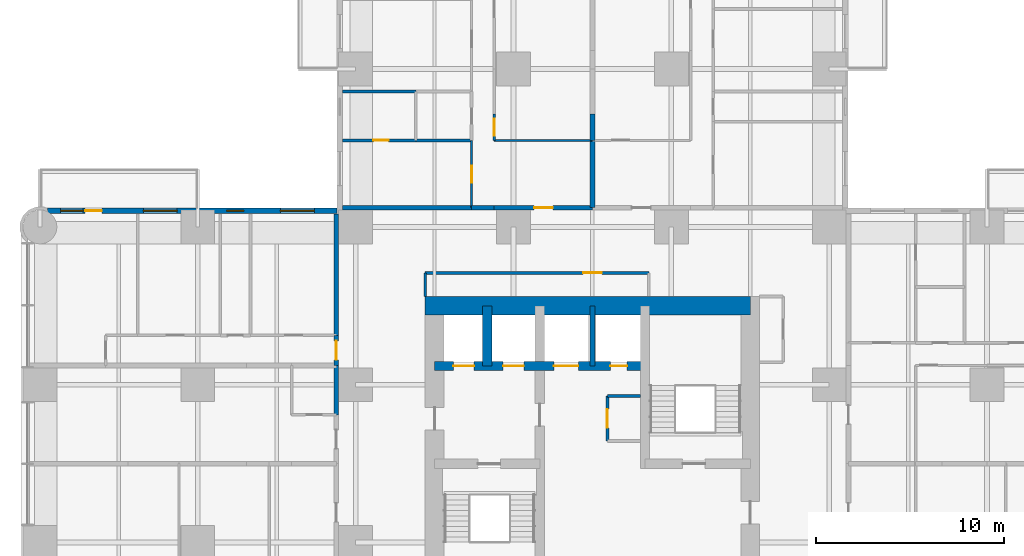
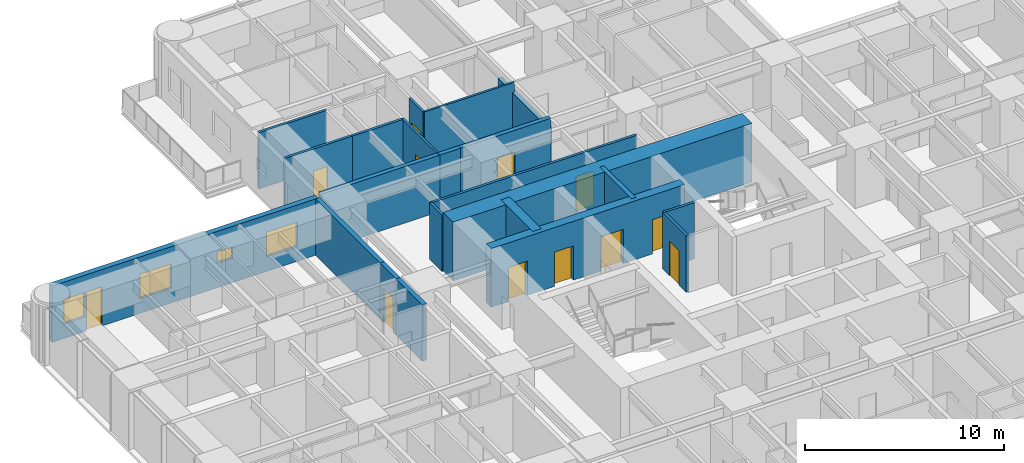
# One storey, part 12 of 17: 23 walls, 12 doors, 4 windows, 16 openings.
"""IFC4 building model written with IfcOpenShell, lengths in metres."""

import ifcopenshell
import ifcopenshell.guid

model = None  # the IFC model being written
_history = None  # IfcOwnerHistory: only IFC2X3 demands one
_inside = {}  # id of a spatial element -> (the spatial element, [elements in it])
_under = {}  # id of a project, library or spatial element -> (it, [spatial elements below it])
_declared = {}  # id of a project -> (the project, [libraries it declares])
_typed = {}  # id of a type object -> (the type object, [elements of that type])
_made_of = {}  # id of a material, layer set ... -> (it, [elements and type objects made of it])


def new_model(schema):
    """Start an empty IFC model of exactly this schema.

    Asked for "IFC4X3", IfcOpenShell would pick the latest addendum, in which some entities
    have other attributes; the version numbers below select the first issue.
    IFC2X3 requires an IfcOwnerHistory on every rooted entity: one is made here for all.
    """
    global model, _history
    if schema == "IFC4X3":
        model = ifcopenshell.file(schema_version=(4, 3, 0, 0))
    else:
        model = ifcopenshell.file(schema=schema)
    _inside.clear()
    _under.clear()
    _declared.clear()
    _typed.clear()
    _made_of.clear()
    _history = None
    if model.schema == "IFC2X3":
        org = make("IfcOrganization", Name="unknown")
        user = make(
            "IfcPersonAndOrganization",
            ThePerson=make("IfcPerson", FamilyName="unknown"),
            TheOrganization=org,
        )
        app = make(
            "IfcApplication",
            ApplicationDeveloper=org,
            Version="unknown",
            ApplicationFullName="unknown",
            ApplicationIdentifier="unknown",
        )
        _history = make(
            "IfcOwnerHistory",
            OwningUser=user,
            OwningApplication=app,
            ChangeAction="ADDED",
            CreationDate=0,
        )
    return model


def make(cls, **values):
    """One entity of the class cls with the attributes given. An attribute that is None is left unset."""
    return model.create_entity(
        cls, **{name: value for name, value in values.items() if value is not None}
    )


def rooted(cls, **values):
    """An entity with a GlobalId (a new one), such as an element, a storey or a relation."""
    return make(cls, GlobalId=ifcopenshell.guid.new(), OwnerHistory=_history, **values)


def si_unit(unit_type, name, prefix=None):
    """IfcSIUnit, for example si_unit("LENGTHUNIT", "METRE", prefix="MILLI")."""
    return make("IfcSIUnit", UnitType=unit_type, Prefix=prefix, Name=name)


def assignment(units):
    """IfcUnitAssignment: the units of a project."""
    return None if units is None else make("IfcUnitAssignment", Units=units)


def point(xyz):
    """IfcCartesianPoint."""
    return None if xyz is None else make("IfcCartesianPoint", Coordinates=xyz)


def direction(xyz):
    """IfcDirection."""
    return None if xyz is None else make("IfcDirection", DirectionRatios=xyz)


def frame(location, z_axis=None, x_axis=None):
    """IfcAxis2Placement3D, a coordinate frame: its origin and axes. An axis left out is left unset."""
    return make(
        "IfcAxis2Placement3D",
        Location=point(location),
        Axis=direction(z_axis),
        RefDirection=direction(x_axis),
    )


def frame_2d(location, x_axis=None):
    """IfcAxis2Placement2D, a coordinate frame in the plane: its origin and x axis."""
    return make(
        "IfcAxis2Placement2D", Location=point(location), RefDirection=direction(x_axis)
    )


def origin():
    """The frame at (0, 0, 0) with its axes left unset."""
    return frame((0.0, 0.0, 0.0))


def place(relative_to, where):
    """IfcLocalPlacement: puts the frame where relative to a parent placement (None: the world)."""
    return make(
        "IfcLocalPlacement", PlacementRelTo=relative_to, RelativePlacement=where
    )


def context(
    kind, dimensions, precision=None, world=None, true_north=None, identifier=None
):
    """IfcGeometricRepresentationContext, for example the 3D "Model" context."""
    return make(
        "IfcGeometricRepresentationContext",
        ContextIdentifier=identifier,
        ContextType=kind,
        CoordinateSpaceDimension=dimensions,
        Precision=precision,
        WorldCoordinateSystem=world,
        TrueNorth=true_north,
    )


def subcontext(parent, identifier, kind, view, scale=None):
    """IfcGeometricRepresentationSubContext, for example "Body" below "Model"."""
    return make(
        "IfcGeometricRepresentationSubContext",
        ContextIdentifier=identifier,
        ContextType=kind,
        ParentContext=parent,
        TargetScale=scale,
        TargetView=view,
    )


def project(units=None, contexts=None):
    """IfcProject with its units and contexts."""
    return rooted(
        "IfcProject",
        Name="project",
        RepresentationContexts=contexts,
        UnitsInContext=assignment(units),
    )


def spatial(cls, under=None, at=None, **own):
    """A site, building, storey or space (cls), placed at a placement, below another one or the project."""
    s = rooted(cls, ObjectPlacement=at, **own)
    if under is not None:
        _under.setdefault(under.id(), (under, []))[1].append(s)
    return s


def profile(cls, at=None, kind="AREA", **sizes):
    """A parametric profile (cls). Its sizes go by their IFC names, for example OverallWidth=200.0."""
    return make(cls, ProfileType=kind, Position=at, **sizes)


def rectangle(**sizes):
    """IfcRectangleProfileDef."""
    return profile("IfcRectangleProfileDef", **sizes)


def extrude(swept, where, along, depth):
    """IfcExtrudedAreaSolid: the profile swept, set in the frame where, extruded along a direction by depth."""
    return make(
        "IfcExtrudedAreaSolid",
        SweptArea=swept,
        Position=where,
        ExtrudedDirection=direction(along),
        Depth=depth,
    )


def shape(context_of_items, identifier, shape_type, items):
    """IfcShapeRepresentation: the items that make up one representation, for example the "Body"."""
    return make(
        "IfcShapeRepresentation",
        ContextOfItems=context_of_items,
        RepresentationIdentifier=identifier,
        RepresentationType=shape_type,
        Items=items,
    )


def material(Name=None, Category=None):
    """IfcMaterial."""
    return make("IfcMaterial", Name=Name, Category=Category)


def layer(
    of_material, thickness, ventilated=None, Name=None, Category=None, Priority=None
):
    """IfcMaterialLayer: one layer of a wall or slab, of a material (None: an air gap)."""
    return make(
        "IfcMaterialLayer",
        Material=of_material,
        LayerThickness=thickness,
        IsVentilated=ventilated,
        Name=Name,
        Category=Category,
        Priority=Priority,
    )


def layer_set(layers, Name=None):
    """IfcMaterialLayerSet."""
    return make("IfcMaterialLayerSet", MaterialLayers=layers, LayerSetName=Name)


def made_of(thing, what):
    """Note that an element or type object is made of a material, layer set ...; save() writes the relation."""
    if what is not None:
        _made_of.setdefault(what.id(), (what, []))[1].append(thing)
    return thing


def type_object(cls, material=None, **own):
    """A type object (cls), such as IfcWallType, which elements share."""
    return made_of(rooted(cls, **own), material)


def element(
    cls,
    number,
    at=None,
    inside=None,
    cuts=None,
    type_object=None,
    material=None,
    context=None,
    identifier="Body",
    shape_type=None,
    held_by="IfcProductDefinitionShape",
    body=None,
    shapes=None,
    **own,
):
    """One element of the class cls, such as IfcWall. Its Tag is "e" and its number.

    at: its placement. inside: the storey or other place that contains it. cuts: it is an
    opening in that element (IfcRelVoidsElement). A single representation is given by context,
    identifier, shape_type and body (its items); several are given by shapes. held_by: the class
    of the entity that holds the representations. save() writes the other relations.
    """
    e = rooted(cls, Tag="e%d" % number, ObjectPlacement=at, **own)
    if body is not None:
        shapes = [shape(context, identifier, shape_type, body)]
    if shapes is not None:
        e.Representation = make(held_by, Representations=shapes)
    if inside is not None:
        _inside.setdefault(inside.id(), (inside, []))[1].append(e)
    if cuts is not None:
        rooted(
            "IfcRelVoidsElement", RelatingBuildingElement=cuts, RelatedOpeningElement=e
        )
    if type_object is not None:
        _typed.setdefault(type_object.id(), (type_object, []))[1].append(e)
    return made_of(e, material)


def fill(opening, filler):
    """IfcRelFillsElement: the door or window that sits in an opening."""
    return rooted(
        "IfcRelFillsElement",
        RelatingOpeningElement=opening,
        RelatedBuildingElement=filler,
    )


def aggregate(whole, parts):
    """IfcRelAggregates: a whole, such as a stair, and the parts it consists of."""
    return rooted("IfcRelAggregates", RelatingObject=whole, RelatedObjects=parts)


def save(model, path):
    """Write the relations noted so far, then the file.

    IfcRelAggregates (storeys below a building ...), IfcRelContainedInSpatialStructure (elements
    in a storey), IfcRelDefinesByType, IfcRelAssociatesMaterial and IfcRelDeclares: one each for
    every whole, place, type object, material and project.
    """
    for whole, parts in _under.values():
        aggregate(whole, parts)
    for where, things in _inside.values():
        rooted(
            "IfcRelContainedInSpatialStructure",
            RelatedElements=things,
            RelatingStructure=where,
        )
    for kind, things in _typed.values():
        rooted("IfcRelDefinesByType", RelatedObjects=things, RelatingType=kind)
    for what, things in _made_of.values():
        rooted("IfcRelAssociatesMaterial", RelatedObjects=things, RelatingMaterial=what)
    for by, libraries in _declared.values():
        rooted("IfcRelDeclares", RelatingContext=by, RelatedDefinitions=libraries)
    model.write(path)


model = new_model("IFC4")

# Units and contexts
model_context = context("Model", 3, precision=1e-05, world=origin(), true_north=direction((0.0, 1.0)))
body_context = subcontext(model_context, "Body", "Model", "MODEL_VIEW")
ifc_project = project(units=[si_unit("LENGTHUNIT", "METRE"), si_unit("AREAUNIT", "SQUARE_METRE"), si_unit("VOLUMEUNIT", "CUBIC_METRE"), si_unit("PLANEANGLEUNIT", "RADIAN"), si_unit("MASSUNIT", "GRAM", prefix="KILO")], contexts=[model_context])

# Site, building, storey
site_placement = place(None, origin())
site = spatial("IfcSite", under=ifc_project, at=site_placement, CompositionType="ELEMENT")
building_placement = place(site_placement, origin())
building = spatial("IfcBuilding", under=site, at=building_placement, Name="Torre Alcanfor", CompositionType="ELEMENT")
storey_placement = place(building_placement, frame((0.0, 0.0, 45.300048828125)))
storey = spatial("IfcBuildingStorey", under=building, at=storey_placement, Name="L10", CompositionType="ELEMENT", Elevation=45.300048828125)

# Wall, opening, door
ifc_material_1 = material(Name="Concrete block masonry, hollow blocks NMX-C-404 9 MPa", Category="masonry")
ifc_layer_1 = layer(ifc_material_1, 0.25)
ifc_layer_set_1 = layer_set([ifc_layer_1], Name="Apartment entrance wall 250 EI 60")
wall_type_1 = type_object("IfcWallType", Name="Apartment entrance wall 250 EI 60", PredefinedType="PARTITIONING", material=ifc_layer_set_1)
wall_1_placement = place(storey_placement, frame((24.1708984375, 43.02490234375, 0.0), z_axis=(0.0, 0.0, 1.0), x_axis=(1.0, 0.0, 0.0)))
wall_1 = element("IfcWall", 1, at=wall_1_placement, inside=storey, type_object=wall_type_1, Name="Partition L10-CORR / L10-N1-ZAG", PredefinedType="PARTITIONING", context=body_context, shape_type="SweptSolid", body=[
    extrude(rectangle(XDim=5.22900390625, YDim=0.25, at=frame_2d((2.614501953125, 0.0))), origin(), (0.0, 0.0, 1.0), 3.449951171875),
])
opening_1_placement = place(wall_1_placement, frame((2.12890625, 0.0, 0.0)))
opening_1 = element("IfcOpeningElement", 2, at=opening_1_placement, cuts=wall_1, Name="Opening D-A1", PredefinedType="OPENING", context=body_context, shape_type="SweptSolid", body=[
    extrude(rectangle(XDim=1.0, YDim=2.10009765625, at=frame_2d((0.5, 1.050048828125))), frame((0.0, 0.135009765625, 0.0), z_axis=(0.0, -1.0, 0.0), x_axis=(1.0, 0.0, 0.0)), (0.0, 0.0, 1.0), 0.27001953125),
])
ifc_material_2 = material(Name="Galvanised steel sheet ASTM A653", Category="steel")
door_type_1 = type_object("IfcDoorType", Name="Apartment entrance door FD60 1000x2100", OperationType="SINGLE_SWING_LEFT", PredefinedType="DOOR", material=ifc_material_2)
door_1_placement = place(opening_1_placement, origin())
door_1 = element("IfcDoor", 3, at=door_1_placement, inside=storey, type_object=door_type_1, Name="Apartment entrance L10-N1", OperationType="SINGLE_SWING_RIGHT", OverallHeight=2.10009765625, OverallWidth=1.0, PredefinedType="DOOR", context=body_context, shape_type="SweptSolid", body=[
    extrude(rectangle(XDim=1.0, YDim=2.10009765625, at=frame_2d((0.5, 1.050048828125))), frame((0.0, 0.02490234375, 0.0), z_axis=(0.0, -1.0, 0.0), x_axis=(1.0, 0.0, 0.0)), (0.0, 0.0, 1.0), 0.050048828125),
])
fill(opening_1, door_1)

# Walls
wall_2_placement = place(storey_placement, frame((22.970947265625, 43.02490234375, 0.0), z_axis=(0.0, 0.0, 1.0), x_axis=(1.0, 0.0, 0.0)))
element("IfcWall", 4, at=wall_2_placement, inside=storey, type_object=wall_type_1, Name="Partition L10-CORR / L10-N1-HALL", PredefinedType="PARTITIONING", context=body_context, shape_type="SweptSolid", body=[
    extrude(rectangle(XDim=1.199951171875, YDim=0.25, at=frame_2d((0.60009765625, 0.0))), origin(), (0.0, 0.0, 1.0), 3.449951171875),
])
wall_3_placement = place(storey_placement, frame((16.10009765625, 43.02490234375, 0.0), z_axis=(0.0, 0.0, 1.0), x_axis=(1.0, 0.0, 0.0)))
element("IfcWall", 5, at=wall_3_placement, inside=storey, type_object=wall_type_1, Name="Partition L10-CORR / L10-N1-SERV", PredefinedType="PARTITIONING", context=body_context, shape_type="SweptSolid", body=[
    extrude(rectangle(XDim=6.870849609375, YDim=0.25, at=frame_2d((3.435546875, 0.0))), origin(), (0.0, 0.0, 1.0), 3.449951171875),
])
wall_4_placement = place(storey_placement, frame((15.77490234375, 32.0, 0.0), z_axis=(0.0, 0.0, 1.0), x_axis=(0.0, 1.0, 0.0)))
element("IfcWall", 6, at=wall_4_placement, inside=storey, type_object=wall_type_1, Name="Partition L10-CORR / L10-W2A-BATH", PredefinedType="PARTITIONING", context=body_context, shape_type="SweptSolid", body=[
    extrude(rectangle(XDim=2.62890625, YDim=0.25, at=frame_2d((1.314453125, 0.0))), origin(), (0.0, 0.0, 1.0), 3.449951171875),
])

# Wall, opening, door
wall_5_placement = place(storey_placement, frame((15.77490234375, 34.62890625, 0.0), z_axis=(0.0, 0.0, 1.0), x_axis=(0.0, 1.0, 0.0)))
wall_5 = element("IfcWall", 7, at=wall_5_placement, inside=storey, type_object=wall_type_1, Name="Partition L10-CORR / L10-W2B-HALL", PredefinedType="PARTITIONING", context=body_context, shape_type="SweptSolid", body=[
    extrude(rectangle(XDim=1.60009765625, YDim=0.25, at=frame_2d((0.800048828125, 0.0))), origin(), (0.0, 0.0, 1.0), 3.449951171875),
])
opening_2_placement = place(wall_5_placement, frame((0.300048828125, 0.0, 0.0)))
opening_2 = element("IfcOpeningElement", 8, at=opening_2_placement, cuts=wall_5, Name="Opening D-A1", PredefinedType="OPENING", context=body_context, shape_type="SweptSolid", body=[
    extrude(rectangle(XDim=1.0, YDim=2.10009765625, at=frame_2d((0.5, 1.050048828125))), frame((0.0, 0.135009765625, 0.0), z_axis=(0.0, -1.0, 0.0), x_axis=(1.0, 0.0, 0.0)), (0.0, 0.0, 1.0), 0.27001953125),
])
door_2_placement = place(opening_2_placement, origin())
door_2 = element("IfcDoor", 9, at=door_2_placement, inside=storey, type_object=door_type_1, Name="Apartment entrance L10-W2B", OperationType="SINGLE_SWING_LEFT", OverallHeight=2.10009765625, OverallWidth=1.0, PredefinedType="DOOR", context=body_context, shape_type="SweptSolid", body=[
    extrude(rectangle(XDim=1.0, YDim=2.10009765625, at=frame_2d((0.5, 1.050048828125))), frame((0.0, 0.02490234375, 0.0), z_axis=(0.0, -1.0, 0.0), x_axis=(1.0, 0.0, 0.0)), (0.0, 0.0, 1.0), 0.050048828125),
])
fill(opening_2, door_2)

# Walls
wall_6_placement = place(storey_placement, frame((15.77490234375, 36.22900390625, 0.0), z_axis=(0.0, 0.0, 1.0), x_axis=(0.0, 1.0, 0.0)))
element("IfcWall", 10, at=wall_6_placement, inside=storey, type_object=wall_type_1, Name="Partition L10-CORR / L10-W2B-MASTER", PredefinedType="PARTITIONING", context=body_context, shape_type="SweptSolid", body=[
    extrude(rectangle(XDim=6.470947265625, YDim=0.25, at=frame_2d((3.2353515625, 0.0))), origin(), (0.0, 0.0, 1.0), 3.449951171875),
])
ifc_material_3 = material(Name="Gypsum board on steel studs", Category="steel")
ifc_layer_2 = layer(ifc_material_3, 0.1201171875)
ifc_layer_set_2 = layer_set([ifc_layer_2], Name="Apartment partition 120")
wall_type_2 = type_object("IfcWallType", Name="Apartment partition 120", PredefinedType="PARTITIONING", material=ifc_layer_set_2)
wall_7_placement = place(storey_placement, frame((29.39990234375, 46.60009765625, 0.0), z_axis=(0.0, 0.0, 1.0), x_axis=(-1.0, 0.0, 0.0)))
element("IfcWall", 11, at=wall_7_placement, inside=storey, type_object=wall_type_2, Name="Partition L10-N1-ZAG / L10-N1-LAUND", PredefinedType="PARTITIONING", context=body_context, shape_type="SweptSolid", body=[
    extrude(rectangle(XDim=5.22900390625, YDim=0.1201171875, at=frame_2d((2.614501953125, 0.0))), origin(), (0.0, 0.0, 1.0), 3.449951171875),
])

# Wall, opening, door
wall_8_placement = place(storey_placement, frame((24.1708984375, 48.0, 0.0), z_axis=(0.0, 0.0, 1.0), x_axis=(0.0, -1.0, 0.0)))
wall_8 = element("IfcWall", 12, at=wall_8_placement, inside=storey, type_object=wall_type_2, Name="Partition L10-N1-LAUND / L10-N1-HALL", PredefinedType="PARTITIONING", context=body_context, shape_type="SweptSolid", body=[
    extrude(rectangle(XDim=1.39990234375, YDim=0.1201171875, at=frame_2d((0.699951171875, 0.0))), origin(), (0.0, 0.0, 1.0), 3.449951171875),
])
opening_3_placement = place(wall_8_placement, frame((0.25, 0.0, 0.0)))
opening_3 = element("IfcOpeningElement", 13, at=opening_3_placement, cuts=wall_8, Name="Opening D-R1", PredefinedType="OPENING", context=body_context, shape_type="SweptSolid", body=[
    extrude(rectangle(XDim=0.89990234375, YDim=2.10009765625, at=frame_2d((0.449951171875, 1.050048828125))), frame((0.0, 0.070068359375, 0.0), z_axis=(0.0, -1.0, 0.0), x_axis=(1.0, 0.0, 0.0)), (0.0, 0.0, 1.0), 0.14013671875),
])
ifc_material_4 = material(Name="Timber", Category="wood")
door_type_2 = type_object("IfcDoorType", Name="Internal door 900x2100", OperationType="SINGLE_SWING_LEFT", PredefinedType="DOOR", material=ifc_material_4)
door_3_placement = place(opening_3_placement, origin())
door_3 = element("IfcDoor", 14, at=door_3_placement, inside=storey, type_object=door_type_2, Name="Door L10-N1 laund", OperationType="SINGLE_SWING_LEFT", OverallHeight=2.10009765625, OverallWidth=0.89990234375, PredefinedType="DOOR", context=body_context, shape_type="SweptSolid", body=[
    extrude(rectangle(XDim=0.89990234375, YDim=2.10009765625, at=frame_2d((0.449951171875, 1.050048828125))), frame((0.0, 0.02490234375, 0.0), z_axis=(0.0, -1.0, 0.0), x_axis=(1.0, 0.0, 0.0)), (0.0, 0.0, 1.0), 0.050048828125),
])
fill(opening_3, door_3)

wall_9_placement = place(storey_placement, frame((22.970947265625, 46.60009765625, 0.0), z_axis=(0.0, 0.0, 1.0), x_axis=(0.0, -1.0, 0.0)))
wall_9 = element("IfcWall", 15, at=wall_9_placement, inside=storey, type_object=wall_type_2, Name="Partition L10-N1-HALL / L10-N1-SERV", PredefinedType="PARTITIONING", context=body_context, shape_type="SweptSolid", body=[
    extrude(rectangle(XDim=3.5751953125, YDim=0.1201171875, at=frame_2d((1.78759765625, 0.0))), origin(), (0.0, 0.0, 1.0), 3.449951171875),
])
opening_4_placement = place(wall_9_placement, frame((1.35009765625, 0.0, 0.0)))
opening_4 = element("IfcOpeningElement", 16, at=opening_4_placement, cuts=wall_9, Name="Opening D-R1", PredefinedType="OPENING", context=body_context, shape_type="SweptSolid", body=[
    extrude(rectangle(XDim=0.89990234375, YDim=2.10009765625, at=frame_2d((0.449951171875, 1.050048828125))), frame((0.0, 0.070068359375, 0.0), z_axis=(0.0, -1.0, 0.0), x_axis=(1.0, 0.0, 0.0)), (0.0, 0.0, 1.0), 0.14013671875),
])
door_4_placement = place(opening_4_placement, frame((0.89990234375, 0.0, 0.0), z_axis=(0.0, 0.0, 1.0), x_axis=(-1.0, 0.0, 0.0)))
door_4 = element("IfcDoor", 17, at=door_4_placement, inside=storey, type_object=door_type_2, Name="Door L10-N1 serv", OperationType="SINGLE_SWING_LEFT", OverallHeight=2.10009765625, OverallWidth=0.89990234375, PredefinedType="DOOR", context=body_context, shape_type="SweptSolid", body=[
    extrude(rectangle(XDim=0.89990234375, YDim=2.10009765625, at=frame_2d((0.449951171875, 1.050048828125))), frame((0.0, 0.025146484375, 0.0), z_axis=(0.0, -1.0, 0.0), x_axis=(1.0, 0.0, 0.0)), (0.0, 0.0, 1.0), 0.050048828125),
])
fill(opening_4, door_4)

# Wall, openings, doors
ifc_material_5 = material(Name="Concrete f'c 70 MPa", Category="concrete")
ifc_layer_3 = layer(ifc_material_5, 0.5)
ifc_layer_set_3 = layer_set([ifc_layer_3], Name="Core inner wall 500 f'c70")
wall_type_3 = type_object("IfcWallType", Name="Core inner wall 500 f'c70", PredefinedType="SHEAR", material=ifc_layer_set_3)
wall_10_placement = place(storey_placement, frame((21.0, 34.60009765625, 0.0), z_axis=(0.0, 0.0, 1.0), x_axis=(1.0, 0.0, 0.0)))
wall_10 = element("IfcWall", 18, at=wall_10_placement, inside=storey, type_object=wall_type_3, Name="Core wall Y346 L10", PredefinedType="SHEAR", context=body_context, shape_type="SweptSolid", body=[
    extrude(rectangle(XDim=11.199951171875, YDim=0.5, at=frame_2d((5.60009765625, 0.0))), origin(), (0.0, 0.0, 1.0), 3.599853515625),
])
opening_5_placement = place(wall_10_placement, frame((9.35009765625, 0.0, 0.0)))
opening_5 = element("IfcOpeningElement", 19, at=opening_5_placement, cuts=wall_10, Name="Opening D-Q1", PredefinedType="OPENING", context=body_context, shape_type="SweptSolid", body=[
    extrude(rectangle(XDim=0.89990234375, YDim=2.10009765625, at=frame_2d((0.449951171875, 1.050048828125))), frame((0.0, 0.260009765625, 0.0), z_axis=(0.0, -1.0, 0.0), x_axis=(1.0, 0.0, 0.0)), (0.0, 0.0, 1.0), 0.52001953125),
])
opening_6_placement = place(wall_10_placement, frame((1.0, 0.0, 0.0)))
opening_6 = element("IfcOpeningElement", 20, at=opening_6_placement, cuts=wall_10, Name="Opening LD2", PredefinedType="OPENING", context=body_context, shape_type="SweptSolid", body=[
    extrude(rectangle(XDim=1.10009765625, YDim=2.10009765625, at=frame_2d((0.550048828125, 1.050048828125))), frame((0.0, 0.260009765625, 0.0), z_axis=(0.0, -1.0, 0.0), x_axis=(1.0, 0.0, 0.0)), (0.0, 0.0, 1.0), 0.52001953125),
])
opening_7_placement = place(wall_10_placement, frame((3.64990234375, 0.0, 0.0)))
opening_7 = element("IfcOpeningElement", 21, at=opening_7_placement, cuts=wall_10, Name="Opening LD2", PredefinedType="OPENING", context=body_context, shape_type="SweptSolid", body=[
    extrude(rectangle(XDim=1.10009765625, YDim=2.10009765625, at=frame_2d((0.550048828125, 1.050048828125))), frame((0.0, 0.260009765625, 0.0), z_axis=(0.0, -1.0, 0.0), x_axis=(1.0, 0.0, 0.0)), (0.0, 0.0, 1.0), 0.52001953125),
])
opening_8_placement = place(wall_10_placement, frame((6.35009765625, 0.0, 0.0)))
opening_8 = element("IfcOpeningElement", 22, at=opening_8_placement, cuts=wall_10, Name="Opening LD3", PredefinedType="OPENING", context=body_context, shape_type="SweptSolid", body=[
    extrude(rectangle(XDim=1.300048828125, YDim=2.10009765625, at=frame_2d((0.64990234375, 1.050048828125))), frame((0.0, 0.260009765625, 0.0), z_axis=(0.0, -1.0, 0.0), x_axis=(1.0, 0.0, 0.0)), (0.0, 0.0, 1.0), 0.52001953125),
])
ifc_material_6 = material(Name="Galvanised steel sheet ASTM A653", Category="steel")
door_type_3 = type_object("IfcDoorType", Name="Firefighting lift landing door 1100x2100", OperationType="DOUBLE_DOOR_SLIDING", PredefinedType="DOOR", material=ifc_material_6)
door_5_placement = place(opening_6_placement, origin())
door_5 = element("IfcDoor", 23, at=door_5_placement, inside=storey, type_object=door_type_3, Name="Lift landing door FL1 L10", OperationType="DOUBLE_DOOR_SLIDING", OverallHeight=2.10009765625, OverallWidth=1.10009765625, PredefinedType="DOOR", context=body_context, shape_type="SweptSolid", body=[
    extrude(rectangle(XDim=1.10009765625, YDim=2.10009765625, at=frame_2d((0.550048828125, 1.050048828125))), frame((0.0, 0.02490234375, 0.0), z_axis=(0.0, -1.0, 0.0), x_axis=(1.0, 0.0, 0.0)), (0.0, 0.0, 1.0), 0.050048828125),
])
fill(opening_6, door_5)
door_6_placement = place(opening_7_placement, origin())
door_6 = element("IfcDoor", 24, at=door_6_placement, inside=storey, type_object=door_type_3, Name="Lift landing door FL2 L10", OperationType="DOUBLE_DOOR_SLIDING", OverallHeight=2.10009765625, OverallWidth=1.10009765625, PredefinedType="DOOR", context=body_context, shape_type="SweptSolid", body=[
    extrude(rectangle(XDim=1.10009765625, YDim=2.10009765625, at=frame_2d((0.550048828125, 1.050048828125))), frame((0.0, 0.02490234375, 0.0), z_axis=(0.0, -1.0, 0.0), x_axis=(1.0, 0.0, 0.0)), (0.0, 0.0, 1.0), 0.050048828125),
])
fill(opening_7, door_6)
ifc_material_7 = material(Name="Galvanised steel sheet ASTM A653", Category="steel")
door_type_4 = type_object("IfcDoorType", Name="Riser access door FD120 900x2100", OperationType="SINGLE_SWING_LEFT", PredefinedType="DOOR", material=ifc_material_7)
door_7_placement = place(opening_5_placement, origin())
door_7 = element("IfcDoor", 25, at=door_7_placement, inside=storey, type_object=door_type_4, Name="Riser door L10", OperationType="SINGLE_SWING_LEFT", OverallHeight=2.10009765625, OverallWidth=0.89990234375, PredefinedType="DOOR", context=body_context, shape_type="SweptSolid", body=[
    extrude(rectangle(XDim=0.89990234375, YDim=2.10009765625, at=frame_2d((0.449951171875, 1.050048828125))), frame((0.0, 0.02490234375, 0.0), z_axis=(0.0, -1.0, 0.0), x_axis=(1.0, 0.0, 0.0)), (0.0, 0.0, 1.0), 0.050048828125),
])
fill(opening_5, door_7)
ifc_material_8 = material(Name="Galvanised steel sheet ASTM A653", Category="steel")
door_type_5 = type_object("IfcDoorType", Name="Service lift landing door 1300x2100", OperationType="DOUBLE_DOOR_SLIDING", PredefinedType="DOOR", material=ifc_material_8)
door_8_placement = place(opening_8_placement, origin())
door_8 = element("IfcDoor", 26, at=door_8_placement, inside=storey, type_object=door_type_5, Name="Lift landing door SL1 L10", OperationType="DOUBLE_DOOR_SLIDING", OverallHeight=2.10009765625, OverallWidth=1.300048828125, PredefinedType="DOOR", context=body_context, shape_type="SweptSolid", body=[
    extrude(rectangle(XDim=1.300048828125, YDim=2.10009765625, at=frame_2d((0.64990234375, 1.050048828125))), frame((0.0, 0.02490234375, 0.0), z_axis=(0.0, -1.0, 0.0), x_axis=(1.0, 0.0, 0.0)), (0.0, 0.0, 1.0), 0.050048828125),
])
fill(opening_8, door_8)

# Walls
wall_11_placement = place(storey_placement, frame((23.800048828125, 34.60009765625, 0.0), z_axis=(0.0, 0.0, 1.0), x_axis=(0.0, 1.0, 0.0)))
element("IfcWall", 27, at=wall_11_placement, inside=storey, type_object=wall_type_3, Name="Core wall X238 L10", PredefinedType="SHEAR", context=body_context, shape_type="SweptSolid", body=[
    extrude(rectangle(XDim=3.199951171875, YDim=0.5, at=frame_2d((1.60009765625, 0.0))), origin(), (0.0, 0.0, 1.0), 3.599853515625),
])
ifc_material_9 = material(Name="Concrete f'c 70 MPa", Category="concrete")
ifc_layer_4 = layer(ifc_material_9, 0.25)
ifc_layer_set_4 = layer_set([ifc_layer_4], Name="Core shaft wall 250 f'c70")
wall_type_4 = type_object("IfcWallType", Name="Core shaft wall 250 f'c70", PredefinedType="SHEAR", material=ifc_layer_set_4)
wall_12_placement = place(storey_placement, frame((29.39990234375, 34.60009765625, 0.0), z_axis=(0.0, 0.0, 1.0), x_axis=(0.0, 1.0, 0.0)))
element("IfcWall", 28, at=wall_12_placement, inside=storey, type_object=wall_type_4, Name="Core wall X294N L10", PredefinedType="SHEAR", context=body_context, shape_type="SweptSolid", body=[
    extrude(rectangle(XDim=3.199951171875, YDim=0.25, at=frame_2d((1.60009765625, 0.0))), origin(), (0.0, 0.0, 1.0), 3.599853515625),
])
ifc_material_10 = material(Name="Concrete f'c 70 MPa", Category="concrete")
ifc_layer_5 = layer(ifc_material_10, 1.0)
ifc_layer_set_5 = layer_set([ifc_layer_5], Name="Core wall 1000 f'c70")
wall_type_5 = type_object("IfcWallType", Name="Core wall 1000 f'c70", PredefinedType="SHEAR", material=ifc_layer_set_5)
wall_13_placement = place(storey_placement, frame((37.800048828125, 37.800048828125, 0.0), z_axis=(0.0, 0.0, 1.0), x_axis=(-1.0, 0.0, 0.0)))
element("IfcWall", 29, at=wall_13_placement, inside=storey, type_object=wall_type_5, Name="Core wall OUT-N L10", PredefinedType="SHEAR", context=body_context, shape_type="SweptSolid", body=[
    extrude(rectangle(XDim=17.300048828125, YDim=1.0, at=frame_2d((8.64990234375, 0.0))), origin(), (0.0, 0.0, 1.0), 3.599853515625),
])

# Wall, openings, door, windows
ifc_material_11 = material(Name="Limestone cladding", Category="masonry")
ifc_layer_6 = layer(ifc_material_11, 0.0400390625, Name="Facing")
ifc_material_12 = material(Name="Ventilated air cavity")
ifc_layer_7 = layer(ifc_material_12, 0.02001953125, ventilated=True, Name="Ventilated joint")
ifc_material_13 = material(Name="Mineral wool insulation", Category="insulation")
ifc_layer_8 = layer(ifc_material_13, 0.10009765625, Name="Insulation")
ifc_material_14 = material(Name="Concrete f'c 35 MPa", Category="concrete")
ifc_layer_9 = layer(ifc_material_14, 0.139892578125, Name="Backing")
ifc_layer_set_6 = layer_set([ifc_layer_6, ifc_layer_7, ifc_layer_8, ifc_layer_9], Name="External wall stone-clad 300")
wall_type_6 = type_object("IfcWallType", Name="External wall stone-clad 300", PredefinedType="SOLIDWALL", material=ifc_layer_set_6)
wall_14_placement = place(storey_placement, frame((15.800048828125, 42.85009765625, 0.0), z_axis=(0.0, 0.0, 1.0), x_axis=(-1.0, 0.0, 0.0)))
wall_14 = element("IfcWall", 30, at=wall_14_placement, inside=storey, type_object=wall_type_6, Name="External wall L10 1", PredefinedType="SOLIDWALL", context=body_context, shape_type="SweptSolid", body=[
    extrude(rectangle(XDim=15.400146484375, YDim=0.300048828125, at=frame_2d((7.7001953125, 0.0))), origin(), (0.0, 0.0, 1.0), 3.449951171875),
])
opening_9_placement = place(wall_14_placement, frame((1.199951171875, 0.0, 0.89990234375)))
opening_9 = element("IfcOpeningElement", 31, at=opening_9_placement, cuts=wall_14, Name="Opening W2", PredefinedType="OPENING", context=body_context, shape_type="SweptSolid", body=[
    extrude(rectangle(XDim=1.800048828125, YDim=1.5, at=frame_2d((0.89990234375, 0.75))), frame((0.0, 0.159912109375, 0.0), z_axis=(0.0, -1.0, 0.0), x_axis=(1.0, 0.0, 0.0)), (0.0, 0.0, 1.0), 0.320068359375),
])
opening_10_placement = place(wall_14_placement, frame((4.949951171875, 0.0, 1.5)))
opening_10 = element("IfcOpeningElement", 32, at=opening_10_placement, cuts=wall_14, Name="Opening W3", PredefinedType="OPENING", context=body_context, shape_type="SweptSolid", body=[
    extrude(rectangle(XDim=0.89990234375, YDim=0.699951171875, at=frame_2d((0.449951171875, 0.35009765625))), frame((0.0, 0.159912109375, 0.0), z_axis=(0.0, -1.0, 0.0), x_axis=(1.0, 0.0, 0.0)), (0.0, 0.0, 1.0), 0.320068359375),
])
opening_11_placement = place(wall_14_placement, frame((8.5, 0.0, 0.89990234375)))
opening_11 = element("IfcOpeningElement", 33, at=opening_11_placement, cuts=wall_14, Name="Opening W2", PredefinedType="OPENING", context=body_context, shape_type="SweptSolid", body=[
    extrude(rectangle(XDim=1.800048828125, YDim=1.5, at=frame_2d((0.89990234375, 0.75))), frame((0.0, 0.159912109375, 0.0), z_axis=(0.0, -1.0, 0.0), x_axis=(1.0, 0.0, 0.0)), (0.0, 0.0, 1.0), 0.320068359375),
])
opening_12_placement = place(wall_14_placement, frame((12.5, 0.0, 0.0)))
opening_12 = element("IfcOpeningElement", 34, at=opening_12_placement, cuts=wall_14, Name="Opening D-B1", PredefinedType="OPENING", context=body_context, shape_type="SweptSolid", body=[
    extrude(rectangle(XDim=0.89990234375, YDim=2.39990234375, at=frame_2d((0.449951171875, 1.199951171875))), frame((0.0, 0.159912109375, 0.0), z_axis=(0.0, -1.0, 0.0), x_axis=(1.0, 0.0, 0.0)), (0.0, 0.0, 1.0), 0.320068359375),
])
opening_13_placement = place(wall_14_placement, frame((13.5, 0.0, 0.89990234375)))
opening_13 = element("IfcOpeningElement", 35, at=opening_13_placement, cuts=wall_14, Name="Opening W4", PredefinedType="OPENING", context=body_context, shape_type="SweptSolid", body=[
    extrude(rectangle(XDim=1.199951171875, YDim=1.5, at=frame_2d((0.60009765625, 0.75))), frame((0.0, 0.159912109375, 0.0), z_axis=(0.0, -1.0, 0.0), x_axis=(1.0, 0.0, 0.0)), (0.0, 0.0, 1.0), 0.320068359375),
])
ifc_material_15 = material(Name="Aluminium and glass", Category="aluminium")
door_type_6 = type_object("IfcDoorType", Name="Balcony door glazed 900x2400", OperationType="SINGLE_SWING_LEFT", PredefinedType="DOOR", material=ifc_material_15)
door_9_placement = place(opening_12_placement, origin())
door_9 = element("IfcDoor", 36, at=door_9_placement, inside=storey, type_object=door_type_6, Name="Balcony door L10-W2", OperationType="SINGLE_SWING_LEFT", OverallHeight=2.39990234375, OverallWidth=0.89990234375, PredefinedType="DOOR", context=body_context, shape_type="SweptSolid", body=[
    extrude(rectangle(XDim=0.89990234375, YDim=2.39990234375, at=frame_2d((0.449951171875, 1.199951171875))), frame((0.0, 0.02490234375, 0.0), z_axis=(0.0, -1.0, 0.0), x_axis=(1.0, 0.0, 0.0)), (0.0, 0.0, 1.0), 0.050048828125),
])
fill(opening_12, door_9)
ifc_material_16 = material(Name="Aluminium frame with clear double glazing", Category="aluminium")
window_type_1 = type_object("IfcWindowType", Name="Window bathroom 900x700", PartitioningType="SINGLE_PANEL", PredefinedType="WINDOW", material=ifc_material_16)
window_1_placement = place(opening_10_placement, origin())
window_1 = element("IfcWindow", 37, at=window_1_placement, inside=storey, type_object=window_type_1, Name="Window W3 L10-W2", OverallHeight=0.699951171875, OverallWidth=0.89990234375, PartitioningType="SINGLE_PANEL", PredefinedType="WINDOW", context=body_context, shape_type="SweptSolid", body=[
    extrude(rectangle(XDim=0.89990234375, YDim=0.699951171875, at=frame_2d((0.449951171875, 0.35009765625))), frame((0.0, 0.030029296875, 0.0), z_axis=(0.0, -1.0, 0.0), x_axis=(1.0, 0.0, 0.0)), (0.0, 0.0, 1.0), 0.06005859375),
])
fill(opening_10, window_1)
ifc_material_17 = material(Name="Aluminium frame with clear double glazing", Category="aluminium")
window_type_2 = type_object("IfcWindowType", Name="Window bedroom 1200x1500", PartitioningType="SINGLE_PANEL", PredefinedType="WINDOW", material=ifc_material_17)
window_2_placement = place(opening_13_placement, origin())
window_2 = element("IfcWindow", 38, at=window_2_placement, inside=storey, type_object=window_type_2, Name="Window W4 L10-W2", OverallHeight=1.5, OverallWidth=1.199951171875, PartitioningType="SINGLE_PANEL", PredefinedType="WINDOW", context=body_context, shape_type="SweptSolid", body=[
    extrude(rectangle(XDim=1.199951171875, YDim=1.5, at=frame_2d((0.60009765625, 0.75))), frame((0.0, 0.030029296875, 0.0), z_axis=(0.0, -1.0, 0.0), x_axis=(1.0, 0.0, 0.0)), (0.0, 0.0, 1.0), 0.06005859375),
])
fill(opening_13, window_2)
ifc_material_18 = material(Name="Aluminium frame with clear double glazing", Category="aluminium")
window_type_3 = type_object("IfcWindowType", Name="Window bedroom 1800x1500", PartitioningType="SINGLE_PANEL", PredefinedType="WINDOW", material=ifc_material_18)
window_3_placement = place(opening_9_placement, origin())
window_3 = element("IfcWindow", 39, at=window_3_placement, inside=storey, type_object=window_type_3, Name="Window W2 L10-W2", OverallHeight=1.5, OverallWidth=1.800048828125, PartitioningType="SINGLE_PANEL", PredefinedType="WINDOW", context=body_context, shape_type="SweptSolid", body=[
    extrude(rectangle(XDim=1.800048828125, YDim=1.5, at=frame_2d((0.89990234375, 0.75))), frame((0.0, 0.030029296875, 0.0), z_axis=(0.0, -1.0, 0.0), x_axis=(1.0, 0.0, 0.0)), (0.0, 0.0, 1.0), 0.06005859375),
])
fill(opening_9, window_3)
window_4_placement = place(opening_11_placement, origin())
window_4 = element("IfcWindow", 40, at=window_4_placement, inside=storey, type_object=window_type_3, Name="Window W2 L10-W2", OverallHeight=1.5, OverallWidth=1.800048828125, PartitioningType="SINGLE_PANEL", PredefinedType="WINDOW", context=body_context, shape_type="SweptSolid", body=[
    extrude(rectangle(XDim=1.800048828125, YDim=1.5, at=frame_2d((0.89990234375, 0.75))), frame((0.0, 0.030029296875, 0.0), z_axis=(0.0, -1.0, 0.0), x_axis=(1.0, 0.0, 0.0)), (0.0, 0.0, 1.0), 0.06005859375),
])
fill(opening_11, window_4)

# Walls
ifc_material_19 = material(Name="Concrete block masonry, hollow blocks NMX-C-404 9 MPa", Category="masonry")
ifc_layer_10 = layer(ifc_material_19, 0.25)
ifc_layer_set_7 = layer_set([ifc_layer_10], Name="Party wall 250 EI 60")
wall_type_7 = type_object("IfcWallType", Name="Party wall 250 EI 60", PredefinedType="PARTITIONING", material=ifc_layer_set_7)
wall_15_placement = place(storey_placement, frame((29.39990234375, 43.02490234375, 0.0), z_axis=(0.0, 0.0, 1.0), x_axis=(0.0, 1.0, 0.0)))
element("IfcWall", 41, at=wall_15_placement, inside=storey, type_object=wall_type_7, Name="Partition L10-N1-ZAG / L10-N2-ZAG", PredefinedType="PARTITIONING", context=body_context, shape_type="SweptSolid", body=[
    extrude(rectangle(XDim=3.5751953125, YDim=0.25, at=frame_2d((1.78759765625, 0.0))), origin(), (0.0, 0.0, 1.0), 2.847900390625),
])
wall_16_placement = place(storey_placement, frame((29.39990234375, 46.60009765625, 0.0), z_axis=(0.0, 0.0, 1.0), x_axis=(0.0, 1.0, 0.0)))
element("IfcWall", 42, at=wall_16_placement, inside=storey, type_object=wall_type_7, Name="Partition L10-N1-LAUND / L10-N2-KITCHEN", PredefinedType="PARTITIONING", context=body_context, shape_type="SweptSolid", body=[
    extrude(rectangle(XDim=1.39990234375, YDim=0.25, at=frame_2d((0.699951171875, 0.0))), origin(), (0.0, 0.0, 1.0), 2.847900390625),
])

# Wall, opening, door
ifc_material_20 = material(Name="Concrete block masonry, hollow blocks NMX-C-404 9 MPa", Category="masonry")
ifc_layer_11 = layer(ifc_material_20, 0.14990234375)
ifc_layer_set_8 = layer_set([ifc_layer_11], Name="Residents' room partition 150")
wall_type_8 = type_object("IfcWallType", Name="Residents' room partition 150", PredefinedType="PARTITIONING", material=ifc_layer_set_8)
wall_17_placement = place(storey_placement, frame((32.39990234375, 39.550048828125, 0.0), z_axis=(0.0, 0.0, 1.0), x_axis=(-1.0, 0.0, 0.0)))
wall_17 = element("IfcWall", 43, at=wall_17_placement, inside=storey, type_object=wall_type_8, Name="Partition L10-CORR / L10-G01", PredefinedType="PARTITIONING", context=body_context, shape_type="SweptSolid", body=[
    extrude(rectangle(XDim=11.89990234375, YDim=0.14990234375, at=frame_2d((5.949951171875, 0.0))), origin(), (0.0, 0.0, 1.0), 3.449951171875),
])
opening_14_placement = place(wall_17_placement, frame((2.5, 0.0, 0.0)))
opening_14 = element("IfcOpeningElement", 44, at=opening_14_placement, cuts=wall_17, Name="Opening D-M1", PredefinedType="OPENING", context=body_context, shape_type="SweptSolid", body=[
    extrude(rectangle(XDim=1.0, YDim=2.10009765625, at=frame_2d((0.5, 1.050048828125))), frame((0.0, 0.0849609375, 0.0), z_axis=(0.0, -1.0, 0.0), x_axis=(1.0, 0.0, 0.0)), (0.0, 0.0, 1.0), 0.169921875),
])
ifc_material_21 = material(Name="Timber", Category="wood")
door_type_7 = type_object("IfcDoorType", Name="Residents' room door 1000x2100", OperationType="SINGLE_SWING_LEFT", PredefinedType="DOOR", material=ifc_material_21)
door_10_placement = place(opening_14_placement, origin())
door_10 = element("IfcDoor", 45, at=door_10_placement, inside=storey, type_object=door_type_7, Name="Door L10-G01 residents' storage lockers", OperationType="SINGLE_SWING_LEFT", OverallHeight=2.10009765625, OverallWidth=1.0, PredefinedType="DOOR", context=body_context, shape_type="SweptSolid", body=[
    extrude(rectangle(XDim=1.0, YDim=2.10009765625, at=frame_2d((0.5, 1.050048828125))), frame((0.0, 0.02490234375, 0.0), z_axis=(0.0, -1.0, 0.0), x_axis=(1.0, 0.0, 0.0)), (0.0, 0.0, 1.0), 0.050048828125),
])
fill(opening_14, door_10)

# Wall
wall_18_placement = place(storey_placement, frame((20.5, 39.550048828125, 0.0), z_axis=(0.0, 0.0, 1.0), x_axis=(0.0, -1.0, 0.0)))
element("IfcWall", 46, at=wall_18_placement, inside=storey, type_object=wall_type_8, Name="Partition L10-CORR / L10-G01", PredefinedType="PARTITIONING", context=body_context, shape_type="SweptSolid", body=[
    extrude(rectangle(XDim=1.25, YDim=0.14990234375, at=frame_2d((0.625, 0.0))), origin(), (0.0, 0.0, 1.0), 3.449951171875),
])

# Wall, opening, door
wall_19_placement = place(storey_placement, frame((30.199951171875, 30.60009765625, 0.0), z_axis=(0.0, 0.0, 1.0), x_axis=(0.0, 1.0, 0.0)))
wall_19 = element("IfcWall", 47, at=wall_19_placement, inside=storey, type_object=wall_type_8, Name="Partition L10-LL / L10-CR1", PredefinedType="PARTITIONING", context=body_context, shape_type="SweptSolid", body=[
    extrude(rectangle(XDim=2.39990234375, YDim=0.14990234375, at=frame_2d((1.199951171875, 0.0))), origin(), (0.0, 0.0, 1.0), 3.449951171875),
])
opening_15_placement = place(wall_19_placement, frame((0.699951171875, 0.0, 0.0)))
opening_15 = element("IfcOpeningElement", 48, at=opening_15_placement, cuts=wall_19, Name="Opening D-M1", PredefinedType="OPENING", context=body_context, shape_type="SweptSolid", body=[
    extrude(rectangle(XDim=1.0, YDim=2.10009765625, at=frame_2d((0.5, 1.050048828125))), frame((0.0, 0.0849609375, 0.0), z_axis=(0.0, -1.0, 0.0), x_axis=(1.0, 0.0, 0.0)), (0.0, 0.0, 1.0), 0.169921875),
])
door_11_placement = place(opening_15_placement, frame((1.0, 0.0, 0.0), z_axis=(0.0, 0.0, 1.0), x_axis=(-1.0, 0.0, 0.0)))
door_11 = element("IfcDoor", 49, at=door_11_placement, inside=storey, type_object=door_type_7, Name="Vending and ice room door L10", OperationType="SINGLE_SWING_RIGHT", OverallHeight=2.10009765625, OverallWidth=1.0, PredefinedType="DOOR", context=body_context, shape_type="SweptSolid", body=[
    extrude(rectangle(XDim=1.0, YDim=2.10009765625, at=frame_2d((0.5, 1.050048828125))), frame((0.0, 0.025146484375, 0.0), z_axis=(0.0, -1.0, 0.0), x_axis=(1.0, 0.0, 0.0)), (0.0, 0.0, 1.0), 0.050048828125),
])
fill(opening_15, door_11)

# Walls
wall_20_placement = place(storey_placement, frame((30.199951171875, 33.0, 0.0), z_axis=(0.0, 0.0, 1.0), x_axis=(1.0, 0.0, 0.0)))
element("IfcWall", 50, at=wall_20_placement, inside=storey, type_object=wall_type_8, Name="Partition L10-LL / L10-CR1", PredefinedType="PARTITIONING", context=body_context, shape_type="SweptSolid", body=[
    extrude(rectangle(XDim=1.75, YDim=0.14990234375, at=frame_2d((0.875, 0.0))), origin(), (0.0, 0.0, 1.0), 3.449951171875),
])
ifc_material_22 = material(Name="Cement board on steel studs", Category="steel")
ifc_layer_12 = layer(ifc_material_22, 0.14990234375)
ifc_layer_set_9 = layer_set([ifc_layer_12], Name="Wet area partition 150")
wall_type_9 = type_object("IfcWallType", Name="Wet area partition 150", PredefinedType="PARTITIONING", material=ifc_layer_set_9)
wall_21_placement = place(storey_placement, frame((22.970947265625, 46.60009765625, 0.0), z_axis=(0.0, 0.0, 1.0), x_axis=(-1.0, 0.0, 0.0)))
element("IfcWall", 51, at=wall_21_placement, inside=storey, type_object=wall_type_9, Name="Partition L10-N1-SERV / L10-N1-BATH1", PredefinedType="PARTITIONING", context=body_context, shape_type="SweptSolid", body=[
    extrude(rectangle(XDim=2.970947265625, YDim=0.14990234375, at=frame_2d((1.4853515625, 0.0))), origin(), (0.0, 0.0, 1.0), 3.449951171875),
])

# Wall, opening, door
wall_22_placement = place(storey_placement, frame((20.0, 46.60009765625, 0.0), z_axis=(0.0, 0.0, 1.0), x_axis=(-1.0, 0.0, 0.0)))
wall_22 = element("IfcWall", 52, at=wall_22_placement, inside=storey, type_object=wall_type_9, Name="Partition L10-N1-SERV / L10-N1-SBATH", PredefinedType="PARTITIONING", context=body_context, shape_type="SweptSolid", body=[
    extrude(rectangle(XDim=3.89990234375, YDim=0.14990234375, at=frame_2d((1.949951171875, 0.0))), origin(), (0.0, 0.0, 1.0), 3.449951171875),
])
opening_16_placement = place(wall_22_placement, frame((1.449951171875, 0.0, 0.0)))
opening_16 = element("IfcOpeningElement", 53, at=opening_16_placement, cuts=wall_22, Name="Opening D-R2", PredefinedType="OPENING", context=body_context, shape_type="SweptSolid", body=[
    extrude(rectangle(XDim=0.800048828125, YDim=2.10009765625, at=frame_2d((0.39990234375, 1.050048828125))), frame((0.0, 0.0849609375, 0.0), z_axis=(0.0, -1.0, 0.0), x_axis=(1.0, 0.0, 0.0)), (0.0, 0.0, 1.0), 0.169921875),
])
ifc_material_23 = material(Name="Timber", Category="wood")
door_type_8 = type_object("IfcDoorType", Name="Bathroom door 800x2100", OperationType="SINGLE_SWING_LEFT", PredefinedType="DOOR", material=ifc_material_23)
door_12_placement = place(opening_16_placement, frame((0.800048828125, 0.0, 0.0), z_axis=(0.0, 0.0, 1.0), x_axis=(-1.0, 0.0, 0.0)))
door_12 = element("IfcDoor", 54, at=door_12_placement, inside=storey, type_object=door_type_8, Name="Door L10-N1 sbath", OperationType="SINGLE_SWING_RIGHT", OverallHeight=2.10009765625, OverallWidth=0.800048828125, PredefinedType="DOOR", context=body_context, shape_type="SweptSolid", body=[
    extrude(rectangle(XDim=0.800048828125, YDim=2.10009765625, at=frame_2d((0.400146484375, 1.050048828125))), frame((0.0, 0.025146484375, 0.0), z_axis=(0.0, -1.0, 0.0), x_axis=(1.0, 0.0, 0.0)), (0.0, 0.0, 1.0), 0.050048828125),
])
fill(opening_16, door_12)

# Wall
wall_23_placement = place(storey_placement, frame((20.0, 49.199951171875, 0.0), z_axis=(0.0, 0.0, 1.0), x_axis=(-1.0, 0.0, 0.0)))
element("IfcWall", 55, at=wall_23_placement, inside=storey, type_object=wall_type_9, Name="Partition L10-N1-SBATH / L10-N1-BED3", PredefinedType="PARTITIONING", context=body_context, shape_type="SweptSolid", body=[
    extrude(rectangle(XDim=3.89990234375, YDim=0.14990234375, at=frame_2d((1.949951171875, 0.0))), origin(), (0.0, 0.0, 1.0), 3.449951171875),
])

save(model, "model.ifc")
